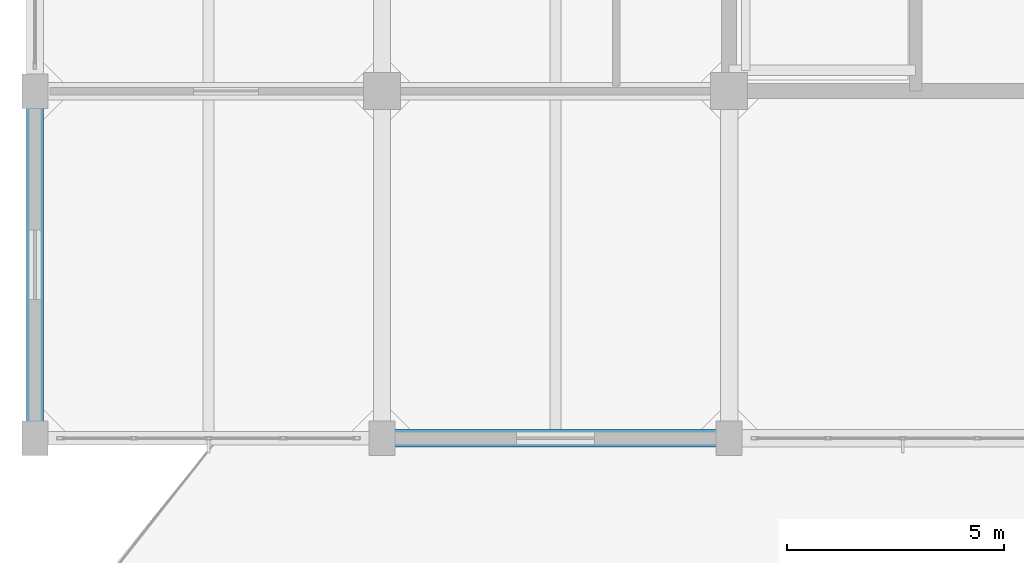
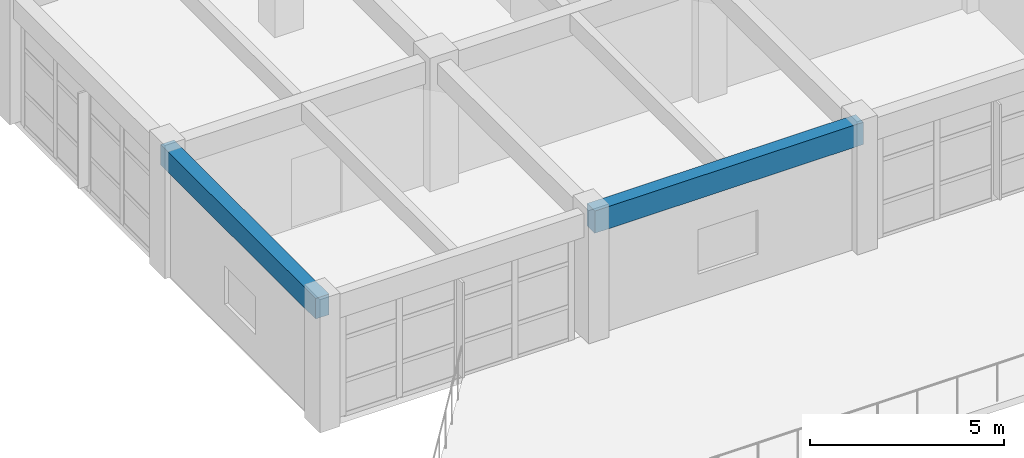
# One storey, part 3 of 30: 2 beams.
"""IFC4 building model written with IfcOpenShell, lengths in metres."""

from ifc_helpers import new_model, si_unit, direction, frame, origin, origin_2d, place, context, subcontext, project, spatial, rectangle, extrude, material, material_profile, profile_set, type_object, element, save


model = new_model("IFC4")

# Units and contexts
model_context = context("Model", 3, precision=1e-05, world=origin(), true_north=direction((0.0, 1.0)))
body_context = subcontext(model_context, "Body", "Model", "MODEL_VIEW")
ifc_project = project(units=[si_unit("LENGTHUNIT", "METRE"), si_unit("AREAUNIT", "SQUARE_METRE"), si_unit("VOLUMEUNIT", "CUBIC_METRE"), si_unit("PLANEANGLEUNIT", "RADIAN"), si_unit("MASSUNIT", "GRAM", prefix="KILO")], contexts=[model_context])

# Site, building, storey
site_placement = place(None, origin())
site = spatial("IfcSite", under=ifc_project, at=site_placement, CompositionType="ELEMENT")
building_placement = place(site_placement, origin())
building = spatial("IfcBuilding", under=site, at=building_placement, Name="Canggui Botanical Conservatory", CompositionType="ELEMENT")
storey_placement = place(building_placement, frame((0.0, 0.0, 27.60009765625)))
storey = spatial("IfcBuildingStorey", under=building, at=storey_placement, Name="L07", CompositionType="ELEMENT", Elevation=27.60009765625)

# Beams
ifc_material = material(Name="Concrete C35", Category="concrete")
ifc_material_profile_1 = material_profile(ifc_material, rectangle(XDim=0.39990234375, YDim=0.699951171875, at=origin_2d()), Name="RB 400x700")
ifc_profile_set_1 = profile_set([ifc_material_profile_1], Name="Concrete C35")
beam_type_1 = type_object("IfcBeamType", Name="BM-KL11", PredefinedType="BEAM", material=ifc_profile_set_1)
beam_1_placement = place(storey_placement, frame((146.0, 34.0, 3.60986328125), z_axis=(1.0, 0.0, 0.0), x_axis=(0.0, 1.0, 0.0)))
element("IfcBeam", 1, at=beam_1_placement, inside=storey, type_object=beam_type_1, Name="Frame Girder L07 Y34-2", PredefinedType="BEAM", context=body_context, shape_type="SweptSolid", body=[
    extrude(rectangle(XDim=0.39990234375, YDim=0.699951171875, at=origin_2d()), origin(), (0.0, 0.0, 1.0), 8.0),
])
ifc_material_profile_2 = material_profile(ifc_material, rectangle(XDim=0.39990234375, YDim=0.64990234375, at=origin_2d()), Name="RB 400x650")
ifc_profile_set_2 = profile_set([ifc_material_profile_2], Name="Concrete C35")
beam_type_2 = type_object("IfcBeamType", Name="BM-KL12", PredefinedType="BEAM", material=ifc_profile_set_2)
beam_2_placement = place(storey_placement, frame((138.0, 34.0, 3.635009765625), z_axis=(0.0, 1.0, 0.0), x_axis=(-1.0, 0.0, 0.0)))
element("IfcBeam", 2, at=beam_2_placement, inside=storey, type_object=beam_type_2, Name="Frame Girder L07 X138-1", PredefinedType="BEAM", context=body_context, shape_type="SweptSolid", body=[
    extrude(rectangle(XDim=0.39990234375, YDim=0.64990234375, at=origin_2d()), origin(), (0.0, 0.0, 1.0), 8.0),
])

save(model, "model.ifc")
